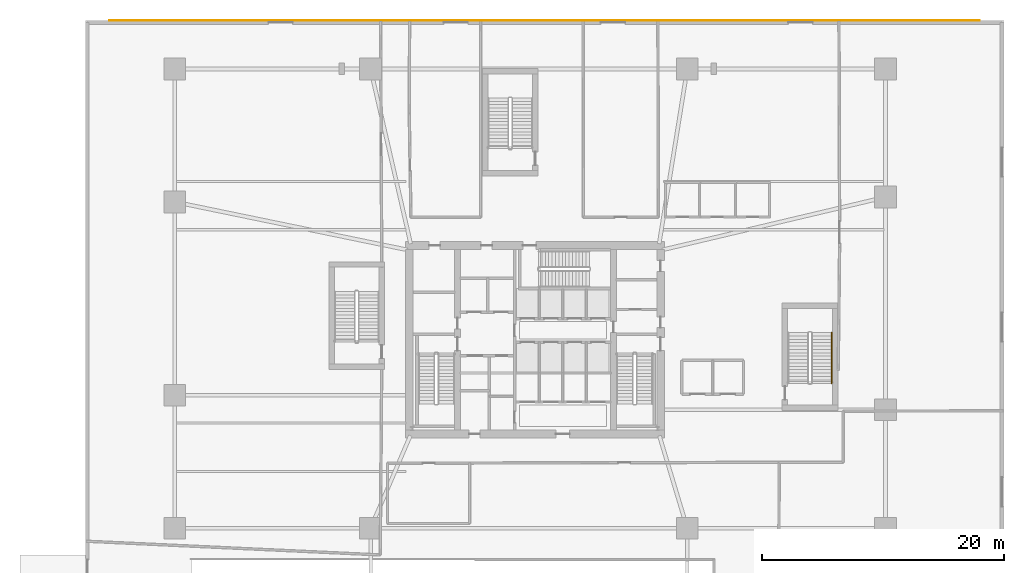
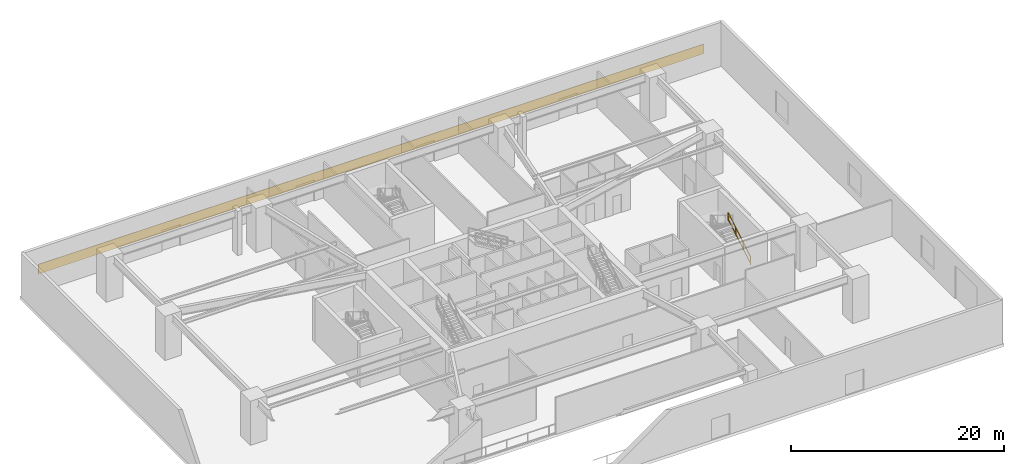
# One storey, part 12 of 13: 1 covering, 1 railing.
"""IFC4 building model written with IfcOpenShell, lengths in metres."""

import ifcopenshell
import ifcopenshell.guid

model = None  # the IFC model being written
_history = None  # IfcOwnerHistory: only IFC2X3 demands one
_inside = {}  # id of a spatial element -> (the spatial element, [elements in it])
_under = {}  # id of a project, library or spatial element -> (it, [spatial elements below it])
_declared = {}  # id of a project -> (the project, [libraries it declares])
_typed = {}  # id of a type object -> (the type object, [elements of that type])
_made_of = {}  # id of a material, layer set ... -> (it, [elements and type objects made of it])


def new_model(schema):
    """Start an empty IFC model of exactly this schema.

    Asked for "IFC4X3", IfcOpenShell would pick the latest addendum, in which some entities
    have other attributes; the version numbers below select the first issue.
    IFC2X3 requires an IfcOwnerHistory on every rooted entity: one is made here for all.
    """
    global model, _history
    if schema == "IFC4X3":
        model = ifcopenshell.file(schema_version=(4, 3, 0, 0))
    else:
        model = ifcopenshell.file(schema=schema)
    _inside.clear()
    _under.clear()
    _declared.clear()
    _typed.clear()
    _made_of.clear()
    _history = None
    if model.schema == "IFC2X3":
        org = make("IfcOrganization", Name="unknown")
        user = make(
            "IfcPersonAndOrganization",
            ThePerson=make("IfcPerson", FamilyName="unknown"),
            TheOrganization=org,
        )
        app = make(
            "IfcApplication",
            ApplicationDeveloper=org,
            Version="unknown",
            ApplicationFullName="unknown",
            ApplicationIdentifier="unknown",
        )
        _history = make(
            "IfcOwnerHistory",
            OwningUser=user,
            OwningApplication=app,
            ChangeAction="ADDED",
            CreationDate=0,
        )
    return model


def make(cls, **values):
    """One entity of the class cls with the attributes given. An attribute that is None is left unset."""
    return model.create_entity(
        cls, **{name: value for name, value in values.items() if value is not None}
    )


def rooted(cls, **values):
    """An entity with a GlobalId (a new one), such as an element, a storey or a relation."""
    return make(cls, GlobalId=ifcopenshell.guid.new(), OwnerHistory=_history, **values)


def si_unit(unit_type, name, prefix=None):
    """IfcSIUnit, for example si_unit("LENGTHUNIT", "METRE", prefix="MILLI")."""
    return make("IfcSIUnit", UnitType=unit_type, Prefix=prefix, Name=name)


def assignment(units):
    """IfcUnitAssignment: the units of a project."""
    return None if units is None else make("IfcUnitAssignment", Units=units)


def point(xyz):
    """IfcCartesianPoint."""
    return None if xyz is None else make("IfcCartesianPoint", Coordinates=xyz)


def direction(xyz):
    """IfcDirection."""
    return None if xyz is None else make("IfcDirection", DirectionRatios=xyz)


def frame(location, z_axis=None, x_axis=None):
    """IfcAxis2Placement3D, a coordinate frame: its origin and axes. An axis left out is left unset."""
    return make(
        "IfcAxis2Placement3D",
        Location=point(location),
        Axis=direction(z_axis),
        RefDirection=direction(x_axis),
    )


def frame_2d(location, x_axis=None):
    """IfcAxis2Placement2D, a coordinate frame in the plane: its origin and x axis."""
    return make(
        "IfcAxis2Placement2D", Location=point(location), RefDirection=direction(x_axis)
    )


def origin():
    """The frame at (0, 0, 0) with its axes left unset."""
    return frame((0.0, 0.0, 0.0))


def origin_2d():
    """The frame at (0, 0) in the plane with its x axis left unset."""
    return frame_2d((0.0, 0.0))


def place(relative_to, where):
    """IfcLocalPlacement: puts the frame where relative to a parent placement (None: the world)."""
    return make(
        "IfcLocalPlacement", PlacementRelTo=relative_to, RelativePlacement=where
    )


def context(
    kind, dimensions, precision=None, world=None, true_north=None, identifier=None
):
    """IfcGeometricRepresentationContext, for example the 3D "Model" context."""
    return make(
        "IfcGeometricRepresentationContext",
        ContextIdentifier=identifier,
        ContextType=kind,
        CoordinateSpaceDimension=dimensions,
        Precision=precision,
        WorldCoordinateSystem=world,
        TrueNorth=true_north,
    )


def subcontext(parent, identifier, kind, view, scale=None):
    """IfcGeometricRepresentationSubContext, for example "Body" below "Model"."""
    return make(
        "IfcGeometricRepresentationSubContext",
        ContextIdentifier=identifier,
        ContextType=kind,
        ParentContext=parent,
        TargetScale=scale,
        TargetView=view,
    )


def project(units=None, contexts=None):
    """IfcProject with its units and contexts."""
    return rooted(
        "IfcProject",
        Name="project",
        RepresentationContexts=contexts,
        UnitsInContext=assignment(units),
    )


def spatial(cls, under=None, at=None, **own):
    """A site, building, storey or space (cls), placed at a placement, below another one or the project."""
    s = rooted(cls, ObjectPlacement=at, **own)
    if under is not None:
        _under.setdefault(under.id(), (under, []))[1].append(s)
    return s


def profile(cls, at=None, kind="AREA", **sizes):
    """A parametric profile (cls). Its sizes go by their IFC names, for example OverallWidth=200.0."""
    return make(cls, ProfileType=kind, Position=at, **sizes)


def rectangle(**sizes):
    """IfcRectangleProfileDef."""
    return profile("IfcRectangleProfileDef", **sizes)


def extrude(swept, where, along, depth):
    """IfcExtrudedAreaSolid: the profile swept, set in the frame where, extruded along a direction by depth."""
    return make(
        "IfcExtrudedAreaSolid",
        SweptArea=swept,
        Position=where,
        ExtrudedDirection=direction(along),
        Depth=depth,
    )


def shape(context_of_items, identifier, shape_type, items):
    """IfcShapeRepresentation: the items that make up one representation, for example the "Body"."""
    return make(
        "IfcShapeRepresentation",
        ContextOfItems=context_of_items,
        RepresentationIdentifier=identifier,
        RepresentationType=shape_type,
        Items=items,
    )


def material(Name=None, Category=None):
    """IfcMaterial."""
    return make("IfcMaterial", Name=Name, Category=Category)


def layer(
    of_material, thickness, ventilated=None, Name=None, Category=None, Priority=None
):
    """IfcMaterialLayer: one layer of a wall or slab, of a material (None: an air gap)."""
    return make(
        "IfcMaterialLayer",
        Material=of_material,
        LayerThickness=thickness,
        IsVentilated=ventilated,
        Name=Name,
        Category=Category,
        Priority=Priority,
    )


def layer_set(layers, Name=None):
    """IfcMaterialLayerSet."""
    return make("IfcMaterialLayerSet", MaterialLayers=layers, LayerSetName=Name)


def made_of(thing, what):
    """Note that an element or type object is made of a material, layer set ...; save() writes the relation."""
    if what is not None:
        _made_of.setdefault(what.id(), (what, []))[1].append(thing)
    return thing


def type_object(cls, material=None, **own):
    """A type object (cls), such as IfcWallType, which elements share."""
    return made_of(rooted(cls, **own), material)


def element(
    cls,
    number,
    at=None,
    inside=None,
    cuts=None,
    type_object=None,
    material=None,
    context=None,
    identifier="Body",
    shape_type=None,
    held_by="IfcProductDefinitionShape",
    body=None,
    shapes=None,
    **own,
):
    """One element of the class cls, such as IfcWall. Its Tag is "e" and its number.

    at: its placement. inside: the storey or other place that contains it. cuts: it is an
    opening in that element (IfcRelVoidsElement). A single representation is given by context,
    identifier, shape_type and body (its items); several are given by shapes. held_by: the class
    of the entity that holds the representations. save() writes the other relations.
    """
    e = rooted(cls, Tag="e%d" % number, ObjectPlacement=at, **own)
    if body is not None:
        shapes = [shape(context, identifier, shape_type, body)]
    if shapes is not None:
        e.Representation = make(held_by, Representations=shapes)
    if inside is not None:
        _inside.setdefault(inside.id(), (inside, []))[1].append(e)
    if cuts is not None:
        rooted(
            "IfcRelVoidsElement", RelatingBuildingElement=cuts, RelatedOpeningElement=e
        )
    if type_object is not None:
        _typed.setdefault(type_object.id(), (type_object, []))[1].append(e)
    return made_of(e, material)


def aggregate(whole, parts):
    """IfcRelAggregates: a whole, such as a stair, and the parts it consists of."""
    return rooted("IfcRelAggregates", RelatingObject=whole, RelatedObjects=parts)


def save(model, path):
    """Write the relations noted so far, then the file.

    IfcRelAggregates (storeys below a building ...), IfcRelContainedInSpatialStructure (elements
    in a storey), IfcRelDefinesByType, IfcRelAssociatesMaterial and IfcRelDeclares: one each for
    every whole, place, type object, material and project.
    """
    for whole, parts in _under.values():
        aggregate(whole, parts)
    for where, things in _inside.values():
        rooted(
            "IfcRelContainedInSpatialStructure",
            RelatedElements=things,
            RelatingStructure=where,
        )
    for kind, things in _typed.values():
        rooted("IfcRelDefinesByType", RelatedObjects=things, RelatingType=kind)
    for what, things in _made_of.values():
        rooted("IfcRelAssociatesMaterial", RelatedObjects=things, RelatingMaterial=what)
    for by, libraries in _declared.values():
        rooted("IfcRelDeclares", RelatingContext=by, RelatedDefinitions=libraries)
    model.write(path)


model = new_model("IFC4")

# Units and contexts
model_context = context("Model", 3, precision=1e-05, world=origin(), true_north=direction((0.0, 1.0)))
body_context = subcontext(model_context, "Body", "Model", "MODEL_VIEW")
ifc_project = project(units=[si_unit("LENGTHUNIT", "METRE"), si_unit("AREAUNIT", "SQUARE_METRE"), si_unit("VOLUMEUNIT", "CUBIC_METRE"), si_unit("PLANEANGLEUNIT", "RADIAN"), si_unit("MASSUNIT", "GRAM", prefix="KILO")], contexts=[model_context])

# Site, building, storey
site_placement = place(None, origin())
site = spatial("IfcSite", under=ifc_project, at=site_placement, CompositionType="ELEMENT")
building_placement = place(site_placement, origin())
building = spatial("IfcBuilding", under=site, at=building_placement, Name="Qarnah Convention Tower", CompositionType="ELEMENT")
storey_placement = place(building_placement, origin())
storey = spatial("IfcBuildingStorey", under=building, at=storey_placement, Name="L00", CompositionType="ELEMENT", Elevation=0.0)

# Covering
ifc_material_1 = material(Name="Precast concrete C45/55", Category="concrete")
ifc_layer = layer(ifc_material_1, 0.06005859375)
ifc_layer_set = layer_set([ifc_layer], Name="Precast concrete C45/55")
covering_type = type_object("IfcCoveringType", Name="COV-CLAD-60", PredefinedType="CLADDING", material=ifc_layer_set)
covering_placement = place(storey_placement, frame((38.0, 52.820068359375, 1.849853515625), z_axis=(0.0, 0.0, 1.0), x_axis=(1.0, 0.0, 0.0)))
element("IfcCovering", 1, at=covering_placement, inside=storey, type_object=covering_type, Name="L00 limestone precast spandrel cladding", PredefinedType="CLADDING", context=body_context, shape_type="SweptSolid", body=[
    extrude(rectangle(XDim=72.0, YDim=0.06005859375, at=origin_2d()), origin(), (0.0, 0.0, 1.0), 1.10009765625),
])

# Railing
ifc_material_2 = material(Name="Structural steel S355JR", Category="steel")
railing_type = type_object("IfcRailingType", Name="RL-STAIR-HAND-900", PredefinedType="HANDRAIL", material=ifc_material_2)
railing_placement = place(storey_placement, frame((61.75, 22.800048828125, 0.168701171875)))
element("IfcRailing", 2, at=railing_placement, inside=storey, type_object=railing_type, Name="L00 ST-4 stair handrail 1", PredefinedType="HANDRAIL", context=body_context, shape_type="SweptSolid", body=[
    extrude(rectangle(XDim=0.048095703125, YDim=0.048095703125, at=origin_2d()), frame((0.0, 0.0, 0.8759765625), z_axis=(0.0, 0.856476492594, 0.516186030065), x_axis=(-1.0, 0.0, 0.0)), (0.0, 0.0, 1.0), 4.90380859375),
    extrude(rectangle(XDim=0.048095703125, YDim=0.048095703125, at=origin_2d()), frame((0.0, 0.0, 0.1201171875), z_axis=(0.0, 0.856476492594, 0.516186030065), x_axis=(-1.0, 0.0, 0.0)), (0.0, 0.0, 1.0), 4.90380859375),
    extrude(rectangle(XDim=0.0419921875, YDim=0.0419921875, at=origin_2d()), origin(), (0.0, 0.0, 1.0), 0.851806640625),
    extrude(rectangle(XDim=0.0419921875, YDim=0.0419921875, at=origin_2d()), frame((0.0, 1.39990234375, 0.84375)), (0.0, 0.0, 1.0), 0.851806640625),
    extrude(rectangle(XDim=0.0419921875, YDim=0.0419921875, at=origin_2d()), frame((0.0, 2.800048828125, 1.6875)), (0.0, 0.0, 1.0), 0.851806640625),
    extrude(rectangle(XDim=0.0419921875, YDim=0.0419921875, at=origin_2d()), frame((0.0, 4.199951171875, 2.53125)), (0.0, 0.0, 1.0), 0.851806640625),
])

save(model, "model.ifc")
